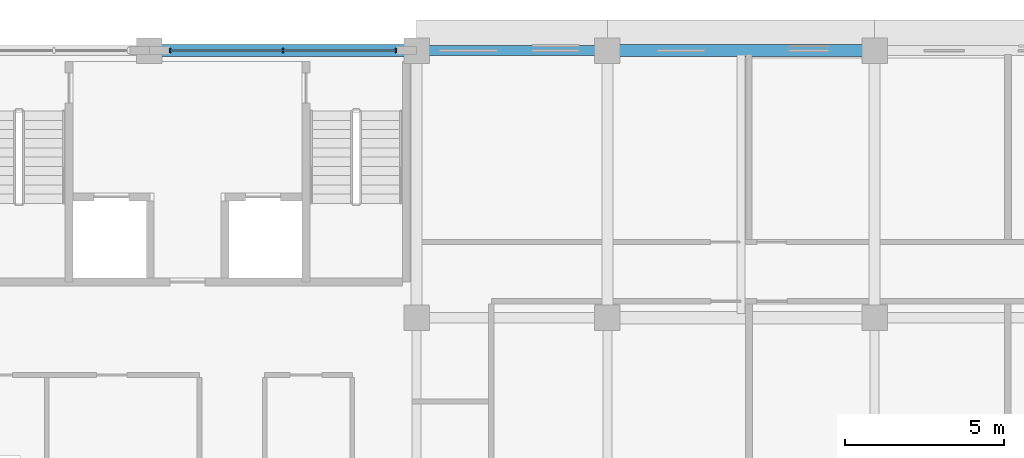
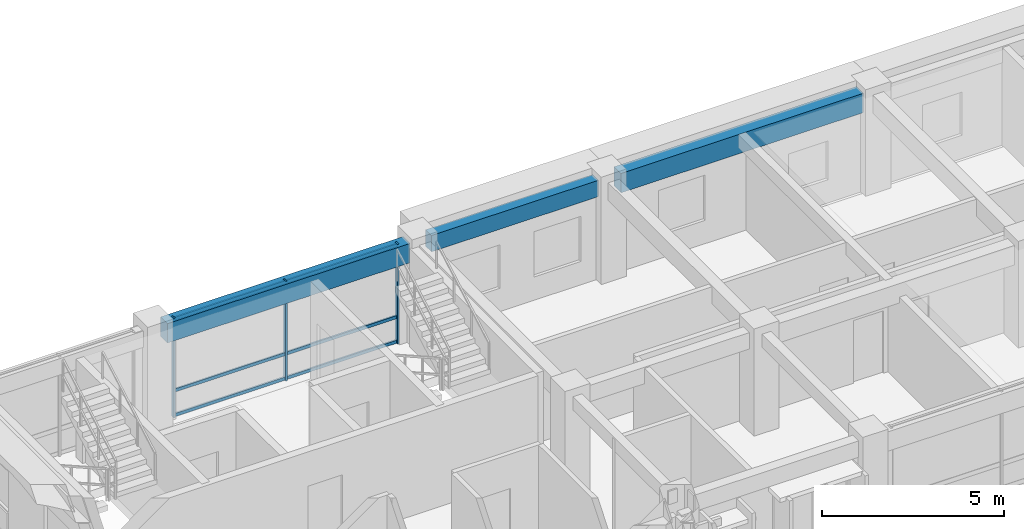
# One storey, part 26 of 88: 6 members, 3 beams, 1 element without a shape of its own.
"""IFC4 building model written with IfcOpenShell, lengths in metres."""

from ifc_helpers import new_model, si_unit, direction, frame, origin, origin_2d, place, context, subcontext, project, spatial, rectangle, extrude, material, material_profile, profile_set, type_object, element, aggregate, save


model = new_model("IFC4")

# Units and contexts
model_context = context("Model", 3, precision=1e-05, world=origin(), true_north=direction((0.0, 1.0)))
body_context = subcontext(model_context, "Body", "Model", "MODEL_VIEW")
ifc_project = project(units=[si_unit("LENGTHUNIT", "METRE"), si_unit("AREAUNIT", "SQUARE_METRE"), si_unit("VOLUMEUNIT", "CUBIC_METRE"), si_unit("PLANEANGLEUNIT", "RADIAN"), si_unit("MASSUNIT", "GRAM", prefix="KILO"), si_unit("THERMODYNAMICTEMPERATUREUNIT", "KELVIN")], contexts=[model_context])

# Site, building, storey
site_placement = place(None, origin())
site = spatial("IfcSite", under=ifc_project, at=site_placement, CompositionType="ELEMENT")
building_placement = place(site_placement, origin())
building = spatial("IfcBuilding", under=site, at=building_placement, Name="Thalorik Housing Commons", CompositionType="ELEMENT")
storey_placement = place(building_placement, frame((0.0, 0.0, 4.5)))
storey = spatial("IfcBuildingStorey", under=building, at=storey_placement, Name="L01", CompositionType="ELEMENT", Elevation=4.5)

# Curtain wall, members
ifc_material_1 = material(Name="Anodised aluminium and solar-control low-E glass", Category="aluminium")
curtain_wall_type = type_object("IfcCurtainWallType", Name="ARC-CW-CORE", PredefinedType="USERDEFINED", material=ifc_material_1)
curtain_wall_placement = place(storey_placement, origin())
curtain_wall = element("IfcCurtainWall", 1, at=curtain_wall_placement, inside=storey, type_object=curtain_wall_type, Name="L01 Curtain Wall CW-CORE-L01-A-004", ObjectType="CURTAIN WALL", PredefinedType="USERDEFINED")
ifc_material_2 = material(Name="Anodised aluminium 6063-T6", Category="aluminium")
ifc_material_profile_1 = material_profile(ifc_material_2, rectangle(XDim=0.054931640625, YDim=0.139892578125, at=origin_2d()), Name="ALU MUL 55x140", Category="aluminium")
ifc_profile_set_1 = profile_set([ifc_material_profile_1], Name="Anodised aluminium 6063-T6")
member_type_1 = type_object("IfcMemberType", Name="ARC-CW-MUL-55x140", PredefinedType="MULLION", material=ifc_profile_set_1)
member_1_placement = place(storey_placement, frame((22.14990234375, 123.60009765625, 0.0), z_axis=(0.0, 0.0, 1.0), x_axis=(-1.0, 0.0, 0.0)))
member_1 = element("IfcMember", 2, at=member_1_placement, type_object=member_type_1, Name="CW-CORE-L01-A-004 Mullion 1", PredefinedType="MULLION", context=body_context, shape_type="SweptSolid", body=[
    extrude(rectangle(XDim=0.054931640625, YDim=0.139892578125, at=origin_2d()), origin(), (0.0, 0.0, 1.0), 3.340087890625),
])
member_2_placement = place(storey_placement, frame((18.60009765625, 123.60009765625, 0.0), z_axis=(0.0, 0.0, 1.0), x_axis=(-1.0, 0.0, 0.0)))
member_2 = element("IfcMember", 3, at=member_2_placement, type_object=member_type_1, Name="CW-CORE-L01-A-004 Mullion 2", PredefinedType="MULLION", context=body_context, shape_type="SweptSolid", body=[
    extrude(rectangle(XDim=0.054931640625, YDim=0.139892578125, at=origin_2d()), origin(), (0.0, 0.0, 1.0), 3.340087890625),
])
member_3_placement = place(storey_placement, frame((15.050048828125, 123.60009765625, 0.0), z_axis=(0.0, 0.0, 1.0), x_axis=(-1.0, 0.0, 0.0)))
member_3 = element("IfcMember", 4, at=member_3_placement, type_object=member_type_1, Name="CW-CORE-L01-A-004 Mullion 3", PredefinedType="MULLION", context=body_context, shape_type="SweptSolid", body=[
    extrude(rectangle(XDim=0.054931640625, YDim=0.139892578125, at=origin_2d()), origin(), (0.0, 0.0, 1.0), 3.340087890625),
])
ifc_material_profile_2 = material_profile(ifc_material_2, rectangle(XDim=0.054931640625, YDim=0.10498046875, at=origin_2d()), Name="ALU TRN 55x105", Category="aluminium")
ifc_profile_set_2 = profile_set([ifc_material_profile_2], Name="Anodised aluminium 6063-T6")
member_type_2 = type_object("IfcMemberType", Name="ARC-CW-TRN-55x105", PredefinedType="USERDEFINED", material=ifc_profile_set_2)
member_4_placement = place(storey_placement, frame((22.14990234375, 123.60009765625, 0.054931640625), z_axis=(-1.0, 0.0, 0.0), x_axis=(0.0, -1.0, 0.0)))
member_4 = element("IfcMember", 5, at=member_4_placement, type_object=member_type_2, Name="CW-CORE-L01-A-004 Transom 1", ObjectType="TRANSOM", PredefinedType="USERDEFINED", context=body_context, shape_type="SweptSolid", body=[
    extrude(rectangle(XDim=0.054931640625, YDim=0.10498046875, at=origin_2d()), origin(), (0.0, 0.0, 1.0), 7.099853515625),
])
member_5_placement = place(storey_placement, frame((22.14990234375, 123.60009765625, 0.8798828125), z_axis=(-1.0, 0.0, 0.0), x_axis=(0.0, -1.0, 0.0)))
member_5 = element("IfcMember", 6, at=member_5_placement, type_object=member_type_2, Name="CW-CORE-L01-A-004 Transom 2", ObjectType="TRANSOM", PredefinedType="USERDEFINED", context=body_context, shape_type="SweptSolid", body=[
    extrude(rectangle(XDim=0.054931640625, YDim=0.10498046875, at=origin_2d()), origin(), (0.0, 0.0, 1.0), 7.099853515625),
])
member_6_placement = place(storey_placement, frame((22.14990234375, 123.60009765625, 3.284912109375), z_axis=(-1.0, 0.0, 0.0), x_axis=(0.0, -1.0, 0.0)))
member_6 = element("IfcMember", 7, at=member_6_placement, type_object=member_type_2, Name="CW-CORE-L01-A-004 Transom 3", ObjectType="TRANSOM", PredefinedType="USERDEFINED", context=body_context, shape_type="SweptSolid", body=[
    extrude(rectangle(XDim=0.054931640625, YDim=0.10498046875, at=origin_2d()), origin(), (0.0, 0.0, 1.0), 7.099853515625),
])
aggregate(curtain_wall, [member_1, member_2, member_3, member_4, member_5, member_6])

# Beams
ifc_material_3 = material(Name="Precast concrete C40/50", Category="concrete")
ifc_material_profile_3 = material_profile(ifc_material_3, rectangle(XDim=0.320068359375, YDim=0.550048828125, at=origin_2d()), Name="PC 320x550", Category="concrete")
ifc_profile_set_3 = profile_set([ifc_material_profile_3], Name="Precast concrete C40/50")
beam_type_1 = type_object("IfcBeamType", Name="STR-BM-PC320x550", PredefinedType="BEAM", material=ifc_profile_set_3)
beam_1_placement = place(storey_placement, frame((23.14990234375, 123.60009765625, 3.06494140625), z_axis=(1.0, 0.0, 0.0), x_axis=(0.0, 1.0, 0.0)))
element("IfcBeam", 8, at=beam_1_placement, inside=storey, type_object=beam_type_1, Name="L01 Beam B-550", PredefinedType="BEAM", context=body_context, shape_type="SweptSolid", body=[
    extrude(rectangle(XDim=0.320068359375, YDim=0.550048828125, at=origin_2d()), origin(), (0.0, 0.0, 1.0), 5.300048828125),
])
ifc_material_profile_4 = material_profile(ifc_material_3, rectangle(XDim=0.3798828125, YDim=0.64990234375, at=origin_2d()), Name="PC 380x650", Category="concrete")
ifc_profile_set_4 = profile_set([ifc_material_profile_4], Name="Precast concrete C40/50")
beam_type_2 = type_object("IfcBeamType", Name="STR-BM-PC380x650", PredefinedType="BEAM", material=ifc_profile_set_4)
beam_2_placement = place(storey_placement, frame((14.75, 123.60009765625, 3.014892578125), z_axis=(1.0, 0.0, 0.0), x_axis=(0.0, 1.0, 0.0)))
element("IfcBeam", 9, at=beam_2_placement, inside=storey, type_object=beam_type_2, Name="L01 Beam B-650", PredefinedType="BEAM", context=body_context, shape_type="SweptSolid", body=[
    extrude(rectangle(XDim=0.3798828125, YDim=0.64990234375, at=origin_2d()), origin(), (0.0, 0.0, 1.0), 7.699951171875),
])
beam_3_placement = place(storey_placement, frame((29.14990234375, 123.60009765625, 3.014892578125), z_axis=(1.0, 0.0, 0.0), x_axis=(0.0, 1.0, 0.0)))
element("IfcBeam", 10, at=beam_3_placement, inside=storey, type_object=beam_type_2, Name="L01 Beam B-650", PredefinedType="BEAM", context=body_context, shape_type="SweptSolid", body=[
    extrude(rectangle(XDim=0.3798828125, YDim=0.64990234375, at=origin_2d()), origin(), (0.0, 0.0, 1.0), 7.7001953125),
])

save(model, "model.ifc")
